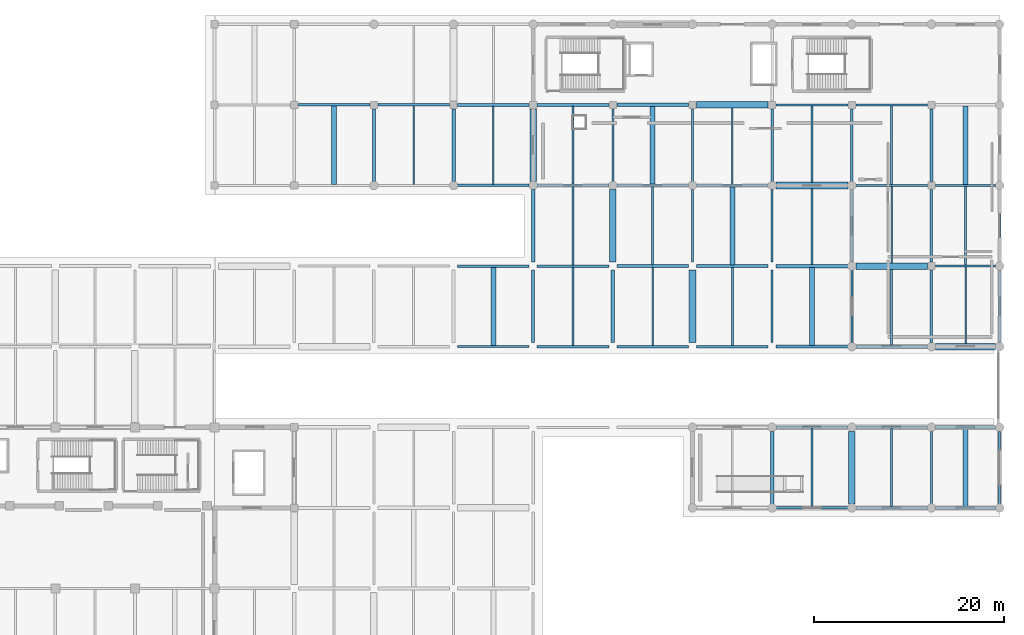
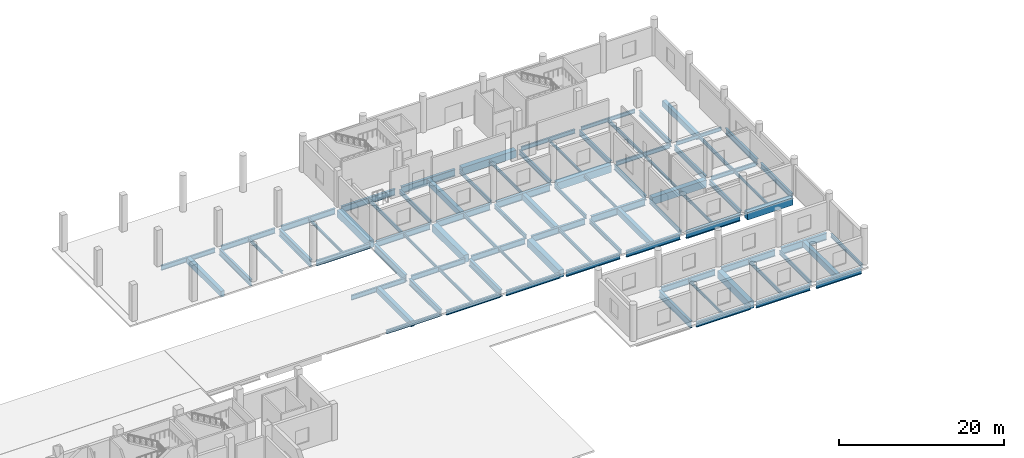
# One storey, part 61 of 107: 86 beams.
"""IFC4 building model written with IfcOpenShell, lengths in metres."""

from ifc_helpers import new_model, si_unit, direction, frame, origin, origin_2d, place, context, subcontext, project, spatial, rectangle, i_section, extrude, material, material_profile, profile_set, type_object, element, save


model = new_model("IFC4")

# Units and contexts
model_context = context("Model", 3, precision=1e-05, world=origin(), true_north=direction((0.0, 1.0)))
body_context = subcontext(model_context, "Body", "Model", "MODEL_VIEW")
ifc_project = project(units=[si_unit("LENGTHUNIT", "METRE"), si_unit("AREAUNIT", "SQUARE_METRE"), si_unit("VOLUMEUNIT", "CUBIC_METRE"), si_unit("PLANEANGLEUNIT", "RADIAN"), si_unit("MASSUNIT", "GRAM", prefix="KILO")], contexts=[model_context])

# Site, building, storey
site_placement = place(None, origin())
site = spatial("IfcSite", under=ifc_project, at=site_placement, CompositionType="ELEMENT")
building_placement = place(site_placement, origin())
building = spatial("IfcBuilding", under=site, at=building_placement, Name="Solvento Point Concert Hall", CompositionType="ELEMENT")
storey_placement = place(building_placement, origin())
storey = spatial("IfcBuildingStorey", under=building, at=storey_placement, Name="L00", CompositionType="ELEMENT", Elevation=0.0)

# Beams
ifc_material_1 = material(Name="Concrete C35/45", Category="concrete")
ifc_material_profile_1 = material_profile(ifc_material_1, rectangle(XDim=0.52001953125, YDim=0.840087890625, at=origin_2d()), Name="RC-BM-520X840")
ifc_profile_set_1 = profile_set([ifc_material_profile_1], Name="Concrete C35/45")
beam_type_1 = type_object("IfcBeamType", Name="Beam_RC_520x840", PredefinedType="BEAM", material=ifc_profile_set_1)
for number, where, z_axis, x_axis, name in (
    (1, (145.800048828125, 119.092041015625, -0.6640625), (0.0, 1.0, 0.0), (-1.0, 0.0, 0.0), "Secondary floor joist B-54 L00"),
    (2, (162.60009765625, 102.092041015625, -0.6640625), (0.0, 1.0, 0.0), (-1.0, 0.0, 0.0), "Secondary floor joist B-54 L00"),
):
    element("IfcBeam", number, at=place(storey_placement, frame(where, z_axis=z_axis, x_axis=x_axis)), inside=storey, type_object=beam_type_1, Name=name, PredefinedType="BEAM", context=body_context, shape_type="SweptSolid", body=[
        extrude(rectangle(XDim=0.52001953125, YDim=0.840087890625, at=origin_2d()), origin(), (0.0, 0.0, 1.0), 8.294921875),
    ])
for number, where, z_axis, x_axis, name in (
    (3, (179.39990234375, 119.138916015625, -0.72412109375), (0.0, 1.0, 0.0), (-1.0, 0.0, 0.0), "Secondary floor joist B-54 L00"),
    (4, (187.800048828125, 110.638916015625, -0.72412109375), (0.0, 1.0, 0.0), (-1.0, 0.0, 0.0), "Secondary floor joist B-54 L00"),
    (5, (196.199951171875, 102.138916015625, -0.6640625), (0.0, 1.0, 0.0), (-1.0, 0.0, 0.0), "Secondary floor joist B-54 L00"),
    (6, (212.39990234375, 85.138916015625, -0.884033203125), (0.0, 1.0, 0.0), (-1.0, 0.0, 0.0), "Secondary floor joist B-54 L00"),
):
    element("IfcBeam", number, at=place(storey_placement, frame(where, z_axis=z_axis, x_axis=x_axis)), inside=storey, type_object=beam_type_1, Name=name, PredefinedType="BEAM", context=body_context, shape_type="SweptSolid", body=[
        extrude(rectangle(XDim=0.52001953125, YDim=0.840087890625, at=origin_2d()), origin(), (0.0, 0.0, 1.0), 8.195556640625),
    ])
beam_1_placement = place(storey_placement, frame((212.39990234375, 119.092041015625, -0.72412109375), z_axis=(0.0, 1.0, 0.0), x_axis=(-1.0, 0.0, 0.0)))
element("IfcBeam", 7, at=beam_1_placement, inside=storey, type_object=beam_type_1, Name="Secondary floor joist B-54 L00", PredefinedType="BEAM", context=body_context, shape_type="SweptSolid", body=[
    extrude(rectangle(XDim=0.52001953125, YDim=0.840087890625, at=origin_2d()), origin(), (0.0, 0.0, 1.0), 8.294921875),
])
ifc_material_2 = material(Name="Structural Steel ASTM A992 Grade 50", Category="steel")
ifc_material_profile_2 = material_profile(ifc_material_2, i_section(OverallWidth=0.20947265625, OverallDepth=0.532958984375, WebThickness=0.01025390625, FlangeThickness=0.015625, at=origin_2d()), Name="W21X62")
ifc_profile_set_2 = profile_set([ifc_material_profile_2], Name="Structural Steel ASTM A992 Grade 50")
beam_type_2 = type_object("IfcBeamType", Name="Beam_W21X62", PredefinedType="BEAM", material=ifc_profile_set_2)
for number, where, z_axis, x_axis, name in (
    (8, (171.0, 119.131103515625, -0.570556640625), (0.0, 1.0, 0.0), (-1.0, 0.0, 0.0), "Secondary floor joist B-25 L00"),
    (9, (179.39990234375, 110.631103515625, -0.570556640625), (0.0, 1.0, 0.0), (-1.0, 0.0, 0.0), "Secondary floor joist B-25 L00"),
    (10, (187.800048828125, 102.131103515625, -0.510498046875), (0.0, 1.0, 0.0), (-1.0, 0.0, 0.0), "Secondary floor joist B-25 L00"),
    (11, (204.60009765625, 85.131103515625, -0.73046875), (0.0, 1.0, 0.0), (-1.0, 0.0, 0.0), "Secondary floor joist B-25 L00"),
):
    element("IfcBeam", number, at=place(storey_placement, frame(where, z_axis=z_axis, x_axis=x_axis)), inside=storey, type_object=beam_type_2, Name=name, PredefinedType="BEAM", context=body_context, shape_type="SweptSolid", body=[
        extrude(i_section(OverallWidth=0.20947265625, OverallDepth=0.532958984375, WebThickness=0.01025390625, FlangeThickness=0.015625, at=origin_2d()), origin(), (0.0, 0.0, 1.0), 8.22998046875),
    ])
for number, where, z_axis, x_axis, name in (
    (12, (204.60009765625, 119.09912109375, -0.570556640625), (0.0, 1.0, 0.0), (-1.0, 0.0, 0.0), "Secondary floor joist B-25 L00"),
    (13, (212.39990234375, 110.59912109375, -0.570556640625), (0.0, 1.0, 0.0), (-1.0, 0.0, 0.0), "Secondary floor joist B-25 L00"),
):
    element("IfcBeam", number, at=place(storey_placement, frame(where, z_axis=z_axis, x_axis=x_axis)), inside=storey, type_object=beam_type_2, Name=name, PredefinedType="BEAM", context=body_context, shape_type="SweptSolid", body=[
        extrude(i_section(OverallWidth=0.20947265625, OverallDepth=0.532958984375, WebThickness=0.01025390625, FlangeThickness=0.015625, at=origin_2d()), origin(), (0.0, 0.0, 1.0), 8.308837890625),
    ])
ifc_material_3 = material(Name="Structural Steel ASTM A992 Grade 50", Category="steel")
ifc_material_profile_3 = material_profile(ifc_material_3, i_section(OverallWidth=0.214111328125, OverallDepth=0.549072265625, WebThickness=0.0146484375, FlangeThickness=0.023681640625, at=origin_2d()), Name="W21X93")
ifc_profile_set_3 = profile_set([ifc_material_profile_3], Name="Structural Steel ASTM A992 Grade 50")
beam_type_3 = type_object("IfcBeamType", Name="Beam_W21X93", PredefinedType="BEAM", material=ifc_profile_set_3)
beam_2_placement = place(storey_placement, frame((158.823974609375, 102.0, -0.5185546875), z_axis=(1.0, 0.0, 0.0), x_axis=(0.0, 1.0, 0.0)))
element("IfcBeam", 14, at=beam_2_placement, inside=storey, type_object=beam_type_3, Name="Primary girder B-48 L00", PredefinedType="BEAM", context=body_context, shape_type="SweptSolid", body=[
    extrude(i_section(OverallWidth=0.214111328125, OverallDepth=0.549072265625, WebThickness=0.0146484375, FlangeThickness=0.023681640625, at=origin_2d()), origin(), (0.0, 0.0, 1.0), 7.552001953125),
])
beam_3_placement = place(storey_placement, frame((209.22412109375, 119.0, -0.57861328125), z_axis=(1.0, 0.0, 0.0), x_axis=(0.0, 1.0, 0.0)))
element("IfcBeam", 15, at=beam_3_placement, inside=storey, type_object=beam_type_3, Name="Primary girder B-48 L00", PredefinedType="BEAM", context=body_context, shape_type="SweptSolid", body=[
    extrude(i_section(OverallWidth=0.214111328125, OverallDepth=0.549072265625, WebThickness=0.0146484375, FlangeThickness=0.023681640625, at=origin_2d()), origin(), (0.0, 0.0, 1.0), 6.351806640625),
])
beam_4_placement = place(storey_placement, frame((200.823974609375, 127.5, -0.57861328125), z_axis=(1.0, 0.0, 0.0), x_axis=(0.0, 1.0, 0.0)))
element("IfcBeam", 16, at=beam_4_placement, inside=storey, type_object=beam_type_3, Name="Primary girder B-48 L00", PredefinedType="BEAM", context=body_context, shape_type="SweptSolid", body=[
    extrude(i_section(OverallWidth=0.214111328125, OverallDepth=0.549072265625, WebThickness=0.0146484375, FlangeThickness=0.023681640625, at=origin_2d()), origin(), (0.0, 0.0, 1.0), 7.552001953125),
])
for number, where, z_axis, x_axis, name in (
    (17, (183.60009765625, 119.424072265625, -0.57861328125), (0.0, 1.0, 0.0), (-1.0, 0.0, 0.0), "Primary girder B-48 L00"),
    (18, (192.0, 110.924072265625, -0.5185546875), (0.0, 1.0, 0.0), (-1.0, 0.0, 0.0), "Primary girder B-48 L00"),
    (19, (200.39990234375, 102.424072265625, -0.57861328125), (0.0, 1.0, 0.0), (-1.0, 0.0, 0.0), "Primary girder B-48 L00"),
    (20, (216.0, 85.424072265625, -0.738525390625), (0.0, 1.0, 0.0), (-1.0, 0.0, 0.0), "Primary girder B-48 L00"),
):
    element("IfcBeam", number, at=place(storey_placement, frame(where, z_axis=z_axis, x_axis=x_axis)), inside=storey, type_object=beam_type_3, Name=name, PredefinedType="BEAM", context=body_context, shape_type="SweptSolid", body=[
        extrude(i_section(OverallWidth=0.214111328125, OverallDepth=0.549072265625, WebThickness=0.0146484375, FlangeThickness=0.023681640625, at=origin_2d()), origin(), (0.0, 0.0, 1.0), 7.65185546875),
    ])
ifc_material_4 = material(Name="Structural Steel ASTM A992 Grade 50", Category="steel")
ifc_material_profile_4 = material_profile(ifc_material_4, i_section(OverallWidth=0.228515625, OverallDepth=0.60791015625, WebThickness=0.01123046875, FlangeThickness=0.017333984375, at=origin_2d()), Name="W24X76")
ifc_profile_set_4 = profile_set([ifc_material_profile_4], Name="Structural Steel ASTM A992 Grade 50")
beam_type_4 = type_object("IfcBeamType", Name="Beam_W24X76", PredefinedType="BEAM", material=ifc_profile_set_4)
beam_5_placement = place(storey_placement, frame((209.22412109375, 110.5, -0.60791015625), z_axis=(1.0, 0.0, 0.0), x_axis=(0.0, 1.0, 0.0)))
element("IfcBeam", 21, at=beam_5_placement, inside=storey, type_object=beam_type_4, Name="Primary girder B-42 L00", PredefinedType="BEAM", context=body_context, shape_type="SweptSolid", body=[
    extrude(i_section(OverallWidth=0.228515625, OverallDepth=0.60791015625, WebThickness=0.01123046875, FlangeThickness=0.017333984375, at=origin_2d()), origin(), (0.0, 0.0, 1.0), 6.351806640625),
])
for number, where, z_axis, x_axis, name in (
    (22, (200.823974609375, 119.0, -0.60791015625), (1.0, 0.0, 0.0), (0.0, 1.0, 0.0), "Primary girder B-42 L00"),
    (23, (192.424072265625, 127.5, -0.60791015625), (1.0, 0.0, 0.0), (0.0, 1.0, 0.0), "Primary girder B-42 L00"),
):
    element("IfcBeam", number, at=place(storey_placement, frame(where, z_axis=z_axis, x_axis=x_axis)), inside=storey, type_object=beam_type_4, Name=name, PredefinedType="BEAM", context=body_context, shape_type="SweptSolid", body=[
        extrude(i_section(OverallWidth=0.228515625, OverallDepth=0.60791015625, WebThickness=0.01123046875, FlangeThickness=0.017333984375, at=origin_2d()), origin(), (0.0, 0.0, 1.0), 7.552001953125),
    ])
for number, where, z_axis, x_axis, name in (
    (24, (175.199951171875, 119.424072265625, -0.60791015625), (0.0, 1.0, 0.0), (-1.0, 0.0, 0.0), "Primary girder B-42 L00"),
    (25, (183.60009765625, 110.924072265625, -0.548095703125), (0.0, 1.0, 0.0), (-1.0, 0.0, 0.0), "Primary girder B-42 L00"),
    (26, (192.0, 102.424072265625, -0.548095703125), (0.0, 1.0, 0.0), (-1.0, 0.0, 0.0), "Primary girder B-42 L00"),
    (27, (208.800048828125, 85.424072265625, -0.76806640625), (0.0, 1.0, 0.0), (-1.0, 0.0, 0.0), "Primary girder B-42 L00"),
):
    element("IfcBeam", number, at=place(storey_placement, frame(where, z_axis=z_axis, x_axis=x_axis)), inside=storey, type_object=beam_type_4, Name=name, PredefinedType="BEAM", context=body_context, shape_type="SweptSolid", body=[
        extrude(i_section(OverallWidth=0.228515625, OverallDepth=0.60791015625, WebThickness=0.01123046875, FlangeThickness=0.017333984375, at=origin_2d()), origin(), (0.0, 0.0, 1.0), 7.65185546875),
    ])
ifc_material_5 = material(Name="Concrete C35/45", Category="concrete")
ifc_material_profile_5 = material_profile(ifc_material_5, rectangle(XDim=0.699951171875, YDim=1.10009765625, at=origin_2d()), Name="RC-BM-700X1100")
ifc_profile_set_5 = profile_set([ifc_material_profile_5], Name="Concrete C35/45")
beam_type_5 = type_object("IfcBeamType", Name="Girder_RC_700x1100", PredefinedType="USERDEFINED", material=ifc_profile_set_5)
beam_6_placement = place(storey_placement, frame((209.22412109375, 102.0, -0.85400390625), z_axis=(1.0, 0.0, 0.0), x_axis=(0.0, 1.0, 0.0)))
element("IfcBeam", 28, at=beam_6_placement, inside=storey, type_object=beam_type_5, Name="Primary girder B-49 L00", ObjectType="GIRDER", PredefinedType="USERDEFINED", context=body_context, shape_type="SweptSolid", body=[
    extrude(rectangle(XDim=0.699951171875, YDim=1.10009765625, at=origin_2d()), origin(), (0.0, 0.0, 1.0), 6.351806640625),
])
for number, where, z_axis, x_axis, name in (
    (29, (200.823974609375, 110.5, -0.85400390625), (1.0, 0.0, 0.0), (0.0, 1.0, 0.0), "Primary girder B-49 L00"),
    (30, (192.424072265625, 119.0, -0.85400390625), (1.0, 0.0, 0.0), (0.0, 1.0, 0.0), "Primary girder B-49 L00"),
    (31, (184.02392578125, 127.5, -0.85400390625), (1.0, 0.0, 0.0), (0.0, 1.0, 0.0), "Primary girder B-49 L00"),
):
    element("IfcBeam", number, at=place(storey_placement, frame(where, z_axis=z_axis, x_axis=x_axis)), inside=storey, type_object=beam_type_5, Name=name, ObjectType="GIRDER", PredefinedType="USERDEFINED", context=body_context, shape_type="SweptSolid", body=[
        extrude(rectangle(XDim=0.699951171875, YDim=1.10009765625, at=origin_2d()), origin(), (0.0, 0.0, 1.0), 7.552001953125),
    ])
for number, where, z_axis, x_axis, name in (
    (32, (166.800048828125, 119.424072265625, -0.85400390625), (0.0, 1.0, 0.0), (-1.0, 0.0, 0.0), "Primary girder B-49 L00"),
    (33, (175.199951171875, 110.924072265625, -0.7939453125), (0.0, 1.0, 0.0), (-1.0, 0.0, 0.0), "Primary girder B-49 L00"),
    (34, (183.60009765625, 102.424072265625, -0.7939453125), (0.0, 1.0, 0.0), (-1.0, 0.0, 0.0), "Primary girder B-49 L00"),
    (35, (200.39990234375, 85.424072265625, -1.013916015625), (0.0, 1.0, 0.0), (-1.0, 0.0, 0.0), "Primary girder B-49 L00"),
):
    element("IfcBeam", number, at=place(storey_placement, frame(where, z_axis=z_axis, x_axis=x_axis)), inside=storey, type_object=beam_type_5, Name=name, ObjectType="GIRDER", PredefinedType="USERDEFINED", context=body_context, shape_type="SweptSolid", body=[
        extrude(rectangle(XDim=0.699951171875, YDim=1.10009765625, at=origin_2d()), origin(), (0.0, 0.0, 1.0), 7.65185546875),
    ])
ifc_material_6 = material(Name="Structural Steel ASTM A992 Grade 50", Category="steel")
ifc_material_profile_6 = material_profile(ifc_material_6, i_section(OverallWidth=0.256103515625, OverallDepth=0.693115234375, WebThickness=0.014404296875, FlangeThickness=0.023681640625, at=origin_2d()), Name="W27X114")
ifc_profile_set_6 = profile_set([ifc_material_profile_6], Name="Structural Steel ASTM A992 Grade 50")
beam_type_6 = type_object("IfcBeamType", Name="Girder_W27X114", PredefinedType="USERDEFINED", material=ifc_profile_set_6)
beam_7_placement = place(storey_placement, frame((167.22412109375, 102.0, -0.590576171875), z_axis=(1.0, 0.0, 0.0), x_axis=(0.0, 1.0, 0.0)))
element("IfcBeam", 36, at=beam_7_placement, inside=storey, type_object=beam_type_6, Name="Primary girder B-23 L00", ObjectType="GIRDER", PredefinedType="USERDEFINED", context=body_context, shape_type="SweptSolid", body=[
    extrude(i_section(OverallWidth=0.256103515625, OverallDepth=0.693115234375, WebThickness=0.014404296875, FlangeThickness=0.023681640625, at=origin_2d()), origin(), (0.0, 0.0, 1.0), 7.5517578125),
])
for number, where, z_axis, x_axis, name in (
    (37, (158.823974609375, 110.5, -0.590576171875), (1.0, 0.0, 0.0), (0.0, 1.0, 0.0), "Primary girder B-23 L00"),
    (38, (142.02392578125, 127.5, -0.590576171875), (1.0, 0.0, 0.0), (0.0, 1.0, 0.0), "Primary girder B-23 L00"),
):
    element("IfcBeam", number, at=place(storey_placement, frame(where, z_axis=z_axis, x_axis=x_axis)), inside=storey, type_object=beam_type_6, Name=name, ObjectType="GIRDER", PredefinedType="USERDEFINED", context=body_context, shape_type="SweptSolid", body=[
        extrude(i_section(OverallWidth=0.256103515625, OverallDepth=0.693115234375, WebThickness=0.014404296875, FlangeThickness=0.023681640625, at=origin_2d()), origin(), (0.0, 0.0, 1.0), 7.552001953125),
    ])
for number, where, z_axis, x_axis, name in (
    (39, (192.0, 119.424072265625, -0.650390625), (0.0, 1.0, 0.0), (-1.0, 0.0, 0.0), "Primary girder B-23 L00"),
    (40, (200.39990234375, 110.924072265625, -0.650390625), (0.0, 1.0, 0.0), (-1.0, 0.0, 0.0), "Primary girder B-23 L00"),
    (41, (208.800048828125, 102.424072265625, -0.650390625), (0.0, 1.0, 0.0), (-1.0, 0.0, 0.0), "Primary girder B-23 L00"),
):
    element("IfcBeam", number, at=place(storey_placement, frame(where, z_axis=z_axis, x_axis=x_axis)), inside=storey, type_object=beam_type_6, Name=name, ObjectType="GIRDER", PredefinedType="USERDEFINED", context=body_context, shape_type="SweptSolid", body=[
        extrude(i_section(OverallWidth=0.256103515625, OverallDepth=0.693115234375, WebThickness=0.014404296875, FlangeThickness=0.023681640625, at=origin_2d()), origin(), (0.0, 0.0, 1.0), 7.65185546875),
    ])
ifc_material_7 = material(Name="Structural Steel ASTM A992 Grade 50", Category="steel")
ifc_material_profile_7 = material_profile(ifc_material_7, i_section(OverallWidth=0.26806640625, OverallDepth=0.77001953125, WebThickness=0.015625, FlangeThickness=0.025390625, at=origin_2d()), Name="W30X132")
ifc_profile_set_7 = profile_set([ifc_material_profile_7], Name="Structural Steel ASTM A992 Grade 50")
beam_type_7 = type_object("IfcBeamType", Name="Girder_W30X132", PredefinedType="USERDEFINED", material=ifc_profile_set_7)
for number, where, z_axis, x_axis, name in (
    (42, (192.424072265625, 85.0, -0.84912109375), (1.0, 0.0, 0.0), (0.0, 1.0, 0.0), "Primary girder B-68 L00"),
    (43, (175.6240234375, 102.0, -0.62890625), (1.0, 0.0, 0.0), (0.0, 1.0, 0.0), "Primary girder B-68 L00"),
):
    element("IfcBeam", number, at=place(storey_placement, frame(where, z_axis=z_axis, x_axis=x_axis)), inside=storey, type_object=beam_type_7, Name=name, ObjectType="GIRDER", PredefinedType="USERDEFINED", context=body_context, shape_type="SweptSolid", body=[
        extrude(i_section(OverallWidth=0.26806640625, OverallDepth=0.77001953125, WebThickness=0.015625, FlangeThickness=0.025390625, at=origin_2d()), origin(), (0.0, 0.0, 1.0), 7.552001953125),
    ])
beam_8_placement = place(storey_placement, frame((167.22412109375, 110.5, -0.62890625), z_axis=(1.0, 0.0, 0.0), x_axis=(0.0, 1.0, 0.0)))
element("IfcBeam", 44, at=beam_8_placement, inside=storey, type_object=beam_type_7, Name="Primary girder B-68 L00", ObjectType="GIRDER", PredefinedType="USERDEFINED", context=body_context, shape_type="SweptSolid", body=[
    extrude(i_section(OverallWidth=0.26806640625, OverallDepth=0.77001953125, WebThickness=0.015625, FlangeThickness=0.025390625, at=origin_2d()), origin(), (0.0, 0.0, 1.0), 7.5517578125),
])
for number, where, z_axis, x_axis, name in (
    (45, (158.823974609375, 119.0, -0.62890625), (1.0, 0.0, 0.0), (0.0, 1.0, 0.0), "Primary girder B-68 L00"),
    (46, (150.424072265625, 127.5, -0.62890625), (1.0, 0.0, 0.0), (0.0, 1.0, 0.0), "Primary girder B-68 L00"),
):
    element("IfcBeam", number, at=place(storey_placement, frame(where, z_axis=z_axis, x_axis=x_axis)), inside=storey, type_object=beam_type_7, Name=name, ObjectType="GIRDER", PredefinedType="USERDEFINED", context=body_context, shape_type="SweptSolid", body=[
        extrude(i_section(OverallWidth=0.26806640625, OverallDepth=0.77001953125, WebThickness=0.015625, FlangeThickness=0.025390625, at=origin_2d()), origin(), (0.0, 0.0, 1.0), 7.552001953125),
    ])
for number, where, z_axis, x_axis, name in (
    (47, (200.39990234375, 119.424072265625, -0.68896484375), (0.0, 1.0, 0.0), (-1.0, 0.0, 0.0), "Primary girder B-68 L00"),
    (48, (208.800048828125, 110.924072265625, -0.68896484375), (0.0, 1.0, 0.0), (-1.0, 0.0, 0.0), "Primary girder B-68 L00"),
    (49, (216.0, 102.424072265625, -0.68896484375), (0.0, 1.0, 0.0), (-1.0, 0.0, 0.0), "Primary girder B-68 L00"),
):
    element("IfcBeam", number, at=place(storey_placement, frame(where, z_axis=z_axis, x_axis=x_axis)), inside=storey, type_object=beam_type_7, Name=name, ObjectType="GIRDER", PredefinedType="USERDEFINED", context=body_context, shape_type="SweptSolid", body=[
        extrude(i_section(OverallWidth=0.26806640625, OverallDepth=0.77001953125, WebThickness=0.015625, FlangeThickness=0.025390625, at=origin_2d()), origin(), (0.0, 0.0, 1.0), 7.65185546875),
    ])
ifc_material_8 = material(Name="Structural Steel ASTM A992 Grade 50", Category="steel")
ifc_material_profile_8 = material_profile(ifc_material_8, i_section(OverallWidth=0.2919921875, OverallDepth=0.85888671875, WebThickness=0.01708984375, FlangeThickness=0.031005859375, at=origin_2d()), Name="W33X169")
ifc_profile_set_8 = profile_set([ifc_material_profile_8], Name="Structural Steel ASTM A992 Grade 50")
beam_type_8 = type_object("IfcBeamType", Name="Girder_W33X169", PredefinedType="USERDEFINED", material=ifc_profile_set_8)
for number, where, z_axis, x_axis, name in (
    (50, (200.823974609375, 85.0, -0.8935546875), (1.0, 0.0, 0.0), (0.0, 1.0, 0.0), "Primary girder B-33 L00"),
    (51, (192.424072265625, 93.5, -0.8935546875), (1.0, 0.0, 0.0), (0.0, 1.0, 0.0), "Primary girder B-33 L00"),
    (52, (184.02392578125, 102.0, -0.673583984375), (1.0, 0.0, 0.0), (0.0, 1.0, 0.0), "Primary girder B-33 L00"),
    (53, (175.6240234375, 110.5, -0.673583984375), (1.0, 0.0, 0.0), (0.0, 1.0, 0.0), "Primary girder B-33 L00"),
):
    element("IfcBeam", number, at=place(storey_placement, frame(where, z_axis=z_axis, x_axis=x_axis)), inside=storey, type_object=beam_type_8, Name=name, ObjectType="GIRDER", PredefinedType="USERDEFINED", context=body_context, shape_type="SweptSolid", body=[
        extrude(i_section(OverallWidth=0.2919921875, OverallDepth=0.85888671875, WebThickness=0.01708984375, FlangeThickness=0.031005859375, at=origin_2d()), origin(), (0.0, 0.0, 1.0), 7.552001953125),
    ])
beam_9_placement = place(storey_placement, frame((167.22412109375, 119.0, -0.7333984375), z_axis=(1.0, 0.0, 0.0), x_axis=(0.0, 1.0, 0.0)))
element("IfcBeam", 54, at=beam_9_placement, inside=storey, type_object=beam_type_8, Name="Primary girder B-33 L00", ObjectType="GIRDER", PredefinedType="USERDEFINED", context=body_context, shape_type="SweptSolid", body=[
    extrude(i_section(OverallWidth=0.2919921875, OverallDepth=0.85888671875, WebThickness=0.01708984375, FlangeThickness=0.031005859375, at=origin_2d()), origin(), (0.0, 0.0, 1.0), 7.5517578125),
])
beam_10_placement = place(storey_placement, frame((158.823974609375, 127.5, -0.673583984375), z_axis=(1.0, 0.0, 0.0), x_axis=(0.0, 1.0, 0.0)))
element("IfcBeam", 55, at=beam_10_placement, inside=storey, type_object=beam_type_8, Name="Primary girder B-33 L00", ObjectType="GIRDER", PredefinedType="USERDEFINED", context=body_context, shape_type="SweptSolid", body=[
    extrude(i_section(OverallWidth=0.2919921875, OverallDepth=0.85888671875, WebThickness=0.01708984375, FlangeThickness=0.031005859375, at=origin_2d()), origin(), (0.0, 0.0, 1.0), 7.552001953125),
])
for number, where, z_axis, x_axis, name in (
    (56, (208.800048828125, 119.424072265625, -0.7333984375), (0.0, 1.0, 0.0), (-1.0, 0.0, 0.0), "Primary girder B-33 L00"),
    (57, (216.0, 110.924072265625, -0.7333984375), (0.0, 1.0, 0.0), (-1.0, 0.0, 0.0), "Primary girder B-33 L00"),
):
    element("IfcBeam", number, at=place(storey_placement, frame(where, z_axis=z_axis, x_axis=x_axis)), inside=storey, type_object=beam_type_8, Name=name, ObjectType="GIRDER", PredefinedType="USERDEFINED", context=body_context, shape_type="SweptSolid", body=[
        extrude(i_section(OverallWidth=0.2919921875, OverallDepth=0.85888671875, WebThickness=0.01708984375, FlangeThickness=0.031005859375, at=origin_2d()), origin(), (0.0, 0.0, 1.0), 7.65185546875),
    ])
ifc_material_9 = material(Name="Structural Steel ASTM A992 Grade 50", Category="steel")
ifc_material_profile_9 = material_profile(ifc_material_9, i_section(OverallWidth=0.3076171875, OverallDepth=0.927001953125, WebThickness=0.019287109375, FlangeThickness=0.031982421875, at=origin_2d()), Name="W36X194")
ifc_profile_set_9 = profile_set([ifc_material_profile_9], Name="Structural Steel ASTM A992 Grade 50")
beam_type_9 = type_object("IfcBeamType", Name="Girder_W36X194", PredefinedType="USERDEFINED", material=ifc_profile_set_9)
beam_11_placement = place(storey_placement, frame((209.22412109375, 85.0, -0.927490234375), z_axis=(1.0, 0.0, 0.0), x_axis=(0.0, 1.0, 0.0)))
element("IfcBeam", 58, at=beam_11_placement, inside=storey, type_object=beam_type_9, Name="Primary girder B-61 L00", ObjectType="GIRDER", PredefinedType="USERDEFINED", context=body_context, shape_type="SweptSolid", body=[
    extrude(i_section(OverallWidth=0.3076171875, OverallDepth=0.927001953125, WebThickness=0.019287109375, FlangeThickness=0.031982421875, at=origin_2d()), origin(), (0.0, 0.0, 1.0), 6.351806640625),
])
for number, where, z_axis, x_axis, name in (
    (59, (200.823974609375, 93.5, -0.927490234375), (1.0, 0.0, 0.0), (0.0, 1.0, 0.0), "Primary girder B-61 L00"),
    (60, (192.424072265625, 102.0, -0.70751953125), (1.0, 0.0, 0.0), (0.0, 1.0, 0.0), "Primary girder B-61 L00"),
    (61, (184.02392578125, 110.5, -0.70751953125), (1.0, 0.0, 0.0), (0.0, 1.0, 0.0), "Primary girder B-61 L00"),
    (62, (175.6240234375, 119.0, -0.767578125), (1.0, 0.0, 0.0), (0.0, 1.0, 0.0), "Primary girder B-61 L00"),
):
    element("IfcBeam", number, at=place(storey_placement, frame(where, z_axis=z_axis, x_axis=x_axis)), inside=storey, type_object=beam_type_9, Name=name, ObjectType="GIRDER", PredefinedType="USERDEFINED", context=body_context, shape_type="SweptSolid", body=[
        extrude(i_section(OverallWidth=0.3076171875, OverallDepth=0.927001953125, WebThickness=0.019287109375, FlangeThickness=0.031982421875, at=origin_2d()), origin(), (0.0, 0.0, 1.0), 7.552001953125),
    ])
beam_12_placement = place(storey_placement, frame((167.22412109375, 127.5, -0.767578125), z_axis=(1.0, 0.0, 0.0), x_axis=(0.0, 1.0, 0.0)))
element("IfcBeam", 63, at=beam_12_placement, inside=storey, type_object=beam_type_9, Name="Primary girder B-61 L00", ObjectType="GIRDER", PredefinedType="USERDEFINED", context=body_context, shape_type="SweptSolid", body=[
    extrude(i_section(OverallWidth=0.3076171875, OverallDepth=0.927001953125, WebThickness=0.019287109375, FlangeThickness=0.031982421875, at=origin_2d()), origin(), (0.0, 0.0, 1.0), 7.5517578125),
])
for number, where, z_axis, x_axis, name in (
    (64, (150.0, 119.424072265625, -0.70751953125), (0.0, 1.0, 0.0), (-1.0, 0.0, 0.0), "Primary girder B-61 L00"),
    (65, (166.800048828125, 102.424072265625, -0.70751953125), (0.0, 1.0, 0.0), (-1.0, 0.0, 0.0), "Primary girder B-61 L00"),
):
    element("IfcBeam", number, at=place(storey_placement, frame(where, z_axis=z_axis, x_axis=x_axis)), inside=storey, type_object=beam_type_9, Name=name, ObjectType="GIRDER", PredefinedType="USERDEFINED", context=body_context, shape_type="SweptSolid", body=[
        extrude(i_section(OverallWidth=0.3076171875, OverallDepth=0.927001953125, WebThickness=0.019287109375, FlangeThickness=0.031982421875, at=origin_2d()), origin(), (0.0, 0.0, 1.0), 7.65185546875),
    ])
ifc_material_10 = material(Name="Structural Steel ASTM A992 Grade 50", Category="steel")
ifc_material_profile_10 = material_profile(ifc_material_10, i_section(OverallWidth=0.361083984375, OverallDepth=1.02587890625, WebThickness=0.01904296875, FlangeThickness=0.0361328125, at=origin_2d()), Name="W40X249")
ifc_profile_set_10 = profile_set([ifc_material_profile_10], Name="Structural Steel ASTM A992 Grade 50")
beam_type_10 = type_object("IfcBeamType", Name="Girder_W40X249", PredefinedType="USERDEFINED", material=ifc_profile_set_10)
beam_13_placement = place(storey_placement, frame((209.22412109375, 93.5, -0.97705078125), z_axis=(1.0, 0.0, 0.0), x_axis=(0.0, 1.0, 0.0)))
element("IfcBeam", 66, at=beam_13_placement, inside=storey, type_object=beam_type_10, Name="Primary girder B-29 L00", ObjectType="GIRDER", PredefinedType="USERDEFINED", context=body_context, shape_type="SweptSolid", body=[
    extrude(i_section(OverallWidth=0.361083984375, OverallDepth=1.02587890625, WebThickness=0.01904296875, FlangeThickness=0.0361328125, at=origin_2d()), origin(), (0.0, 0.0, 1.0), 6.351806640625),
])
for number, where, z_axis, x_axis, name in (
    (67, (200.823974609375, 102.0, -0.81689453125), (1.0, 0.0, 0.0), (0.0, 1.0, 0.0), "Primary girder B-29 L00"),
    (68, (192.424072265625, 110.5, -0.757080078125), (1.0, 0.0, 0.0), (0.0, 1.0, 0.0), "Primary girder B-29 L00"),
    (69, (184.02392578125, 119.0, -0.81689453125), (1.0, 0.0, 0.0), (0.0, 1.0, 0.0), "Primary girder B-29 L00"),
    (70, (175.6240234375, 127.5, -0.81689453125), (1.0, 0.0, 0.0), (0.0, 1.0, 0.0), "Primary girder B-29 L00"),
):
    element("IfcBeam", number, at=place(storey_placement, frame(where, z_axis=z_axis, x_axis=x_axis)), inside=storey, type_object=beam_type_10, Name=name, ObjectType="GIRDER", PredefinedType="USERDEFINED", context=body_context, shape_type="SweptSolid", body=[
        extrude(i_section(OverallWidth=0.361083984375, OverallDepth=1.02587890625, WebThickness=0.01904296875, FlangeThickness=0.0361328125, at=origin_2d()), origin(), (0.0, 0.0, 1.0), 7.552001953125),
    ])
for number, where, z_axis, x_axis, name in (
    (71, (158.39990234375, 119.424072265625, -0.757080078125), (0.0, 1.0, 0.0), (-1.0, 0.0, 0.0), "Primary girder B-29 L00"),
    (72, (166.800048828125, 110.924072265625, -0.757080078125), (0.0, 1.0, 0.0), (-1.0, 0.0, 0.0), "Primary girder B-29 L00"),
    (73, (175.199951171875, 102.424072265625, -0.757080078125), (0.0, 1.0, 0.0), (-1.0, 0.0, 0.0), "Primary girder B-29 L00"),
    (74, (192.0, 85.424072265625, -0.97705078125), (0.0, 1.0, 0.0), (-1.0, 0.0, 0.0), "Primary girder B-29 L00"),
):
    element("IfcBeam", number, at=place(storey_placement, frame(where, z_axis=z_axis, x_axis=x_axis)), inside=storey, type_object=beam_type_10, Name=name, ObjectType="GIRDER", PredefinedType="USERDEFINED", context=body_context, shape_type="SweptSolid", body=[
        extrude(i_section(OverallWidth=0.361083984375, OverallDepth=1.02587890625, WebThickness=0.01904296875, FlangeThickness=0.0361328125, at=origin_2d()), origin(), (0.0, 0.0, 1.0), 7.65185546875),
    ])
ifc_material_11 = material(Name="Structural Steel ASTM A992 Grade 50", Category="steel")
ifc_material_profile_11 = material_profile(ifc_material_11, i_section(OverallWidth=0.177490234375, OverallDepth=0.403076171875, WebThickness=0.007568359375, FlangeThickness=0.010986328125, at=origin_2d()), Name="W16X36")
ifc_profile_set_11 = profile_set([ifc_material_profile_11], Name="Structural Steel ASTM A992 Grade 50")
beam_type_11 = type_object("IfcBeamType", Name="Joist_W16X36", PredefinedType="JOIST", material=ifc_profile_set_11)
for number, where, z_axis, x_axis, name in (
    (75, (162.60009765625, 119.118896484375, -0.445556640625), (0.0, 1.0, 0.0), (-1.0, 0.0, 0.0), "Secondary floor joist B-30 L00"),
    (76, (171.0, 110.618896484375, -0.505615234375), (0.0, 1.0, 0.0), (-1.0, 0.0, 0.0), "Secondary floor joist B-30 L00"),
    (77, (179.39990234375, 102.118896484375, -0.445556640625), (0.0, 1.0, 0.0), (-1.0, 0.0, 0.0), "Secondary floor joist B-30 L00"),
    (78, (196.199951171875, 85.118896484375, -0.66552734375), (0.0, 1.0, 0.0), (-1.0, 0.0, 0.0), "Secondary floor joist B-30 L00"),
):
    element("IfcBeam", number, at=place(storey_placement, frame(where, z_axis=z_axis, x_axis=x_axis)), inside=storey, type_object=beam_type_11, Name=name, PredefinedType="JOIST", context=body_context, shape_type="SweptSolid", body=[
        extrude(i_section(OverallWidth=0.177490234375, OverallDepth=0.403076171875, WebThickness=0.007568359375, FlangeThickness=0.010986328125, at=origin_2d()), origin(), (0.0, 0.0, 1.0), 8.25),
    ])
for number, where, z_axis, x_axis, name in (
    (79, (196.199951171875, 119.3349609375, -0.505615234375), (0.0, 1.0, 0.0), (-1.0, 0.0, 0.0), "Secondary floor joist B-30 L00"),
    (80, (204.60009765625, 110.8349609375, -0.505615234375), (0.0, 1.0, 0.0), (-1.0, 0.0, 0.0), "Secondary floor joist B-30 L00"),
    (81, (212.39990234375, 102.3349609375, -0.505615234375), (0.0, 1.0, 0.0), (-1.0, 0.0, 0.0), "Secondary floor joist B-30 L00"),
):
    element("IfcBeam", number, at=place(storey_placement, frame(where, z_axis=z_axis, x_axis=x_axis)), inside=storey, type_object=beam_type_11, Name=name, PredefinedType="JOIST", context=body_context, shape_type="SweptSolid", body=[
        extrude(i_section(OverallWidth=0.177490234375, OverallDepth=0.403076171875, WebThickness=0.007568359375, FlangeThickness=0.010986328125, at=origin_2d()), origin(), (0.0, 0.0, 1.0), 8.06591796875),
    ])
ifc_material_12 = material(Name="Structural Steel ASTM A992 Grade 50", Category="steel")
ifc_material_profile_12 = material_profile(ifc_material_12, i_section(OverallWidth=0.1904296875, OverallDepth=0.45703125, WebThickness=0.009033203125, FlangeThickness=0.014404296875, at=origin_2d()), Name="W18X50")
ifc_profile_set_12 = profile_set([ifc_material_profile_12], Name="Structural Steel ASTM A992 Grade 50")
beam_type_12 = type_object("IfcBeamType", Name="Joist_W18X50", PredefinedType="JOIST", material=ifc_profile_set_12)
for number, where, z_axis, x_axis, name in (
    (82, (154.199951171875, 119.113037109375, -0.472412109375), (0.0, 1.0, 0.0), (-1.0, 0.0, 0.0), "Secondary floor joist B-66 L00"),
    (83, (171.0, 102.113037109375, -0.472412109375), (0.0, 1.0, 0.0), (-1.0, 0.0, 0.0), "Secondary floor joist B-66 L00"),
):
    element("IfcBeam", number, at=place(storey_placement, frame(where, z_axis=z_axis, x_axis=x_axis)), inside=storey, type_object=beam_type_12, Name=name, PredefinedType="JOIST", context=body_context, shape_type="SweptSolid", body=[
        extrude(i_section(OverallWidth=0.1904296875, OverallDepth=0.45703125, WebThickness=0.009033203125, FlangeThickness=0.014404296875, at=origin_2d()), origin(), (0.0, 0.0, 1.0), 8.26806640625),
    ])
for number, where, z_axis, x_axis, name in (
    (84, (187.800048828125, 119.16552734375, -0.532470703125), (0.0, 1.0, 0.0), (-1.0, 0.0, 0.0), "Secondary floor joist B-66 L00"),
    (85, (196.199951171875, 110.66552734375, -0.532470703125), (0.0, 1.0, 0.0), (-1.0, 0.0, 0.0), "Secondary floor joist B-66 L00"),
    (86, (204.60009765625, 102.16552734375, -0.532470703125), (0.0, 1.0, 0.0), (-1.0, 0.0, 0.0), "Secondary floor joist B-66 L00"),
):
    element("IfcBeam", number, at=place(storey_placement, frame(where, z_axis=z_axis, x_axis=x_axis)), inside=storey, type_object=beam_type_12, Name=name, PredefinedType="JOIST", context=body_context, shape_type="SweptSolid", body=[
        extrude(i_section(OverallWidth=0.1904296875, OverallDepth=0.45703125, WebThickness=0.009033203125, FlangeThickness=0.014404296875, at=origin_2d()), origin(), (0.0, 0.0, 1.0), 7.99951171875),
    ])

save(model, "model.ifc")
